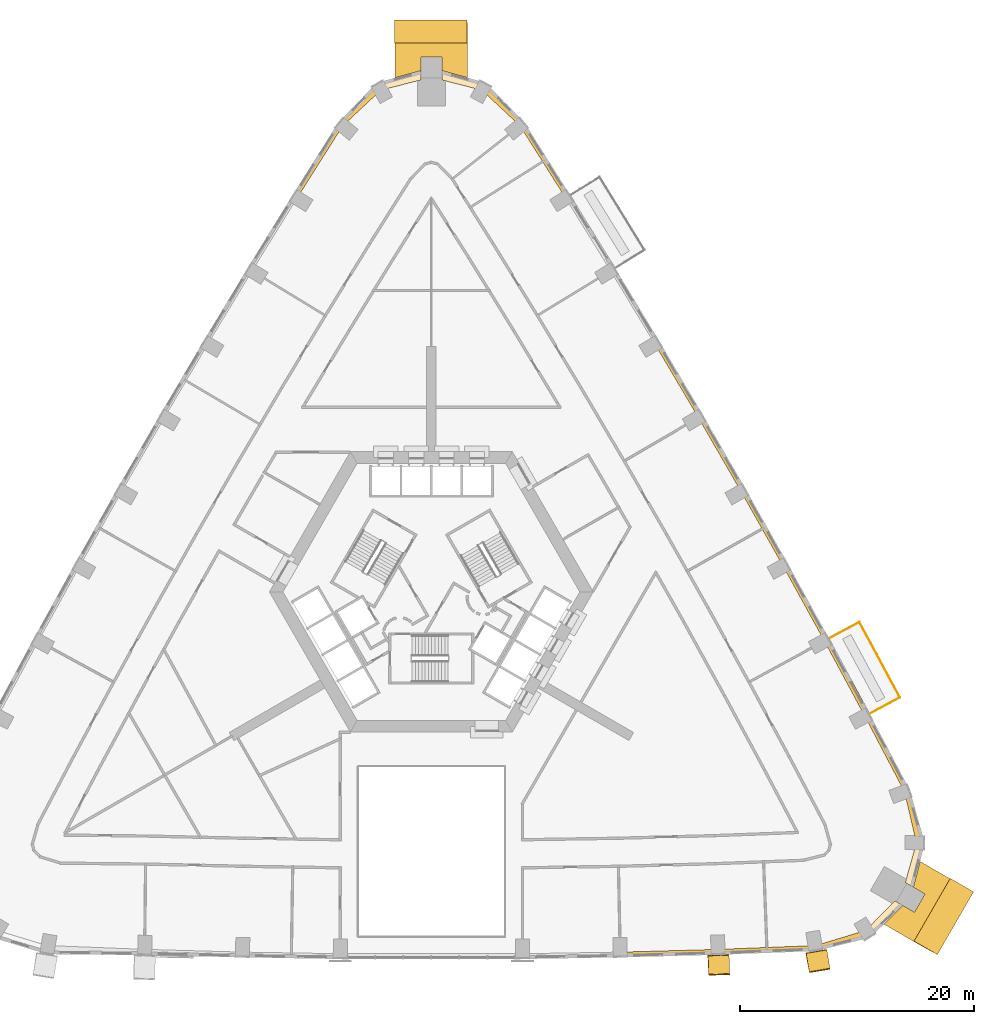
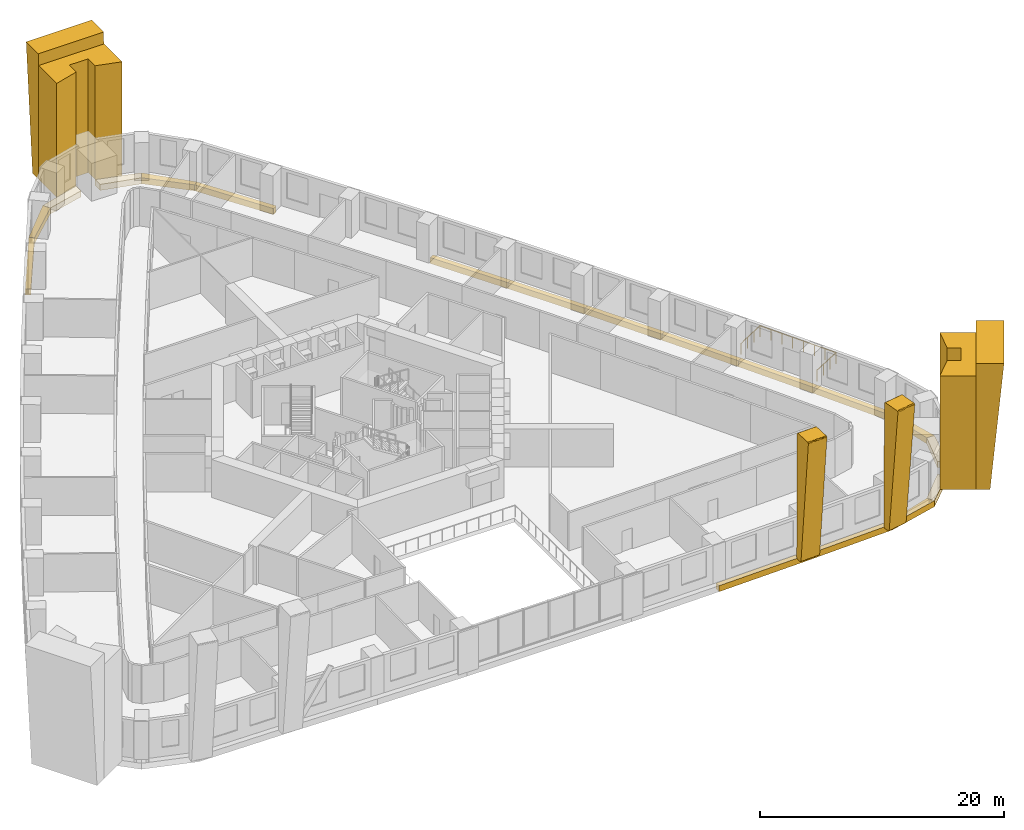
# One storey, part 16 of 16: 24 coverings, 1 railing.
"""IFC4 building model written with IfcOpenShell, lengths in metres."""

from ifc_helpers import new_model, si_unit, direction, frame, origin, origin_2d, place, context, subcontext, project, spatial, polyline, circle, outline, extrude, material, type_object, element, save


model = new_model("IFC4")

# Units and contexts
model_context = context("Model", 3, precision=1e-05, world=origin(), true_north=direction((0.0, 1.0)))
body_context = subcontext(model_context, "Body", "Model", "MODEL_VIEW")
ifc_project = project(units=[si_unit("LENGTHUNIT", "METRE"), si_unit("AREAUNIT", "SQUARE_METRE"), si_unit("VOLUMEUNIT", "CUBIC_METRE"), si_unit("PLANEANGLEUNIT", "RADIAN"), si_unit("MASSUNIT", "GRAM", prefix="KILO")], contexts=[model_context])

# Site, building, storey
site_placement = place(None, origin())
site = spatial("IfcSite", under=ifc_project, at=site_placement, CompositionType="ELEMENT")
building_placement = place(site_placement, origin())
building = spatial("IfcBuilding", under=site, at=building_placement, Name="Entoto Arch Interchange Tower", CompositionType="ELEMENT")
storey_placement = place(building_placement, frame((0.0, 0.0, 47.60009765625)))
storey = spatial("IfcBuildingStorey", under=building, at=storey_placement, Name="L09", CompositionType="ELEMENT", Elevation=47.60009765625)

# Railing
ifc_material_1 = material(Name="Stainless steel 1.4301", Category="steel")
railing_type = type_object("IfcRailingType", Name="GUARD 1100 STEEL AND GLASS", PredefinedType="GUARDRAIL", material=ifc_material_1)
railing_placement = place(storey_placement, frame((37.5029296875, -7.927001953125, 0.0)))
element("IfcRailing", 1, at=railing_placement, inside=storey, type_object=railing_type, Name="Balcony guard NE-02 L09", PredefinedType="GUARDRAIL", context=body_context, shape_type="SweptSolid", body=[
    extrude(circle(Radius=0.02392578125, at=origin_2d()), frame((0.0, 0.0, 1.076171875), z_axis=(0.880269085518, 0.474474801313, 0.0), x_axis=(-0.474474801313, 0.880269085518, 0.0)), (0.0, 0.0, 1.0), 2.950439453125),
    extrude(circle(Radius=0.02392578125, at=origin_2d()), frame((2.59716796875, 1.39990234375, 1.076171875), z_axis=(-0.47465055528, 0.880174329535, 0.0), x_axis=(-0.880174329535, -0.47465055528, 0.0)), (0.0, 0.0, 1.0), 7.3212890625),
    extrude(circle(Radius=0.02392578125, at=origin_2d()), frame((-0.8779296875, 7.843994140625, 1.076171875), z_axis=(-0.880250454816, -0.474509364287, 0.0), x_axis=(0.474509364287, -0.880250454816, 0.0)), (0.0, 0.0, 1.0), 2.9501953125),
    extrude(circle(Radius=0.02099609375, at=origin_2d()), origin(), (0.0, 0.0, 1.0), 1.052001953125),
    extrude(circle(Radius=0.02099609375, at=origin_2d()), frame((0.86572265625, 0.466552734375, 0.0)), (0.0, 0.0, 1.0), 1.052001953125),
    extrude(circle(Radius=0.02099609375, at=origin_2d()), frame((1.7314453125, 0.933349609375, 0.0)), (0.0, 0.0, 1.0), 1.052001953125),
    extrude(circle(Radius=0.02099609375, at=origin_2d()), frame((2.59716796875, 1.39990234375, 0.0)), (0.0, 0.0, 1.0), 1.052001953125),
    extrude(circle(Radius=0.02099609375, at=origin_2d()), frame((2.100830078125, 2.320556640625, 0.0)), (0.0, 0.0, 1.0), 1.052001953125),
    extrude(circle(Radius=0.02099609375, at=origin_2d()), frame((1.604248046875, 3.240966796875, 0.0)), (0.0, 0.0, 1.0), 1.052001953125),
    extrude(circle(Radius=0.02099609375, at=origin_2d()), frame((1.10791015625, 4.16162109375, 0.0)), (0.0, 0.0, 1.0), 1.052001953125),
    extrude(circle(Radius=0.02099609375, at=origin_2d()), frame((0.611328125, 5.082275390625, 0.0)), (0.0, 0.0, 1.0), 1.052001953125),
    extrude(circle(Radius=0.02099609375, at=origin_2d()), frame((0.114990234375, 6.0029296875, 0.0)), (0.0, 0.0, 1.0), 1.052001953125),
    extrude(circle(Radius=0.02099609375, at=origin_2d()), frame((-0.381591796875, 6.92333984375, 0.0)), (0.0, 0.0, 1.0), 1.052001953125),
    extrude(circle(Radius=0.02099609375, at=origin_2d()), frame((-0.8779296875, 7.843994140625, 0.0)), (0.0, 0.0, 1.0), 1.052001953125),
    extrude(circle(Radius=0.02099609375, at=origin_2d()), frame((-1.74365234375, 7.37744140625, 0.0)), (0.0, 0.0, 1.0), 1.052001953125),
    extrude(circle(Radius=0.02099609375, at=origin_2d()), frame((-2.609130859375, 6.91064453125, 0.0)), (0.0, 0.0, 1.0), 1.052001953125),
    extrude(circle(Radius=0.02099609375, at=origin_2d()), frame((-3.474853515625, 6.444091796875, 0.0)), (0.0, 0.0, 1.0), 1.052001953125),
])

# Coverings
ifc_material_2 = material(Name="Board-marked precast concrete C50/60", Category="concrete")
covering_type_1 = type_object("IfcCoveringType", Name="PRECAST FRAME COURSE", PredefinedType="CLADDING", material=ifc_material_2)
covering_1_placement = place(storey_placement, frame((0.0, 0.0, -0.400146484375)))
element("IfcCovering", 2, at=covering_1_placement, inside=storey, type_object=covering_type_1, Name="Corner pilaster SE L09-L11", PredefinedType="CLADDING", context=body_context, shape_type="SweptSolid", body=[
    extrude(outline(polyline([(44.382080078125, -22.0439453125), (41.281982421875, -27.4140625), (38.718017578125, -25.93408203125), (40.346923828125, -24.333984375), (41.342041015625, -24.907958984375), (42.241943359375, -23.35009765625), (41.2470703125, -22.77490234375), (41.818115234375, -20.56396484375), (44.382080078125, -22.0439453125)])), origin(), (0.0, 0.0, 1.0), 11.400146484375),
])
covering_2_placement = place(storey_placement, frame((0.0, 0.0, -0.400146484375)))
element("IfcCovering", 3, at=covering_2_placement, inside=storey, type_object=covering_type_1, Name="Corner pilaster N L09-L11", PredefinedType="CLADDING", context=body_context, shape_type="SweptSolid", body=[
    extrude(outline(polyline([(-3.10009765625, 49.4580078125), (3.10009765625, 49.4580078125), (3.10009765625, 46.4970703125), (0.89990234375, 47.10791015625), (0.89990234375, 48.258056640625), (-0.89990234375, 48.258056640625), (-0.89990234375, 47.10791015625), (-3.10009765625, 46.4970703125), (-3.10009765625, 49.4580078125)])), origin(), (0.0, 0.0, 1.0), 11.400146484375),
])
covering_3_placement = place(storey_placement, frame((41.281982421875, -27.4140625, -0.400146484375), z_axis=(-0.499844002192, -0.866110216576, 0.003011015652), x_axis=(0.866114143263, -0.499846267206, 3.25101e-07)))
element("IfcCovering", 4, at=covering_3_placement, inside=storey, type_object=covering_type_1, Name="Corner rib SE L09-L11", PredefinedType="CLADDING", context=body_context, shape_type="SweptSolid", body=[
    extrude(outline(polyline([(0.0, 0.0), (1.1626843156518478, 2.168404344971009e-19), (2.3081324461429795, 12.60015402385898), (2.3055553958281236e-05, 12.600155152221573), (0.0, 0.0)])), origin(), (0.0, 0.0, -1.0), 6.199951171875),
])
covering_4_placement = place(storey_placement, frame((3.10009765625, 49.4580078125, -0.400146484375), z_axis=(0.999995431764, 0.0, 0.003022656217), x_axis=(0.0, 1.0, 0.0)))
element("IfcCovering", 5, at=covering_4_placement, inside=storey, type_object=covering_type_1, Name="Corner rib N L09-L11", PredefinedType="CLADDING", context=body_context, shape_type="SweptSolid", body=[
    extrude(outline(polyline([(0.0, 0.0), (0.9970703125, 0.0), (1.97900390625, 12.600155216729355), (0.0, 12.600155216729355), (0.0, 0.0)])), origin(), (0.0, 0.0, -1.0), 6.199951171875),
])
covering_5_placement = place(storey_placement, frame((23.64599609375, -28.73095703125, -0.400146484375), z_axis=(-0.999441070346, -0.033294505914, 0.003003794516), x_axis=(-0.032825810236, 0.994418252081, 0.100273656116)))
element("IfcCovering", 6, at=covering_5_placement, inside=storey, type_object=covering_type_1, Name="Fold rib S07 L09-L11", PredefinedType="CLADDING", context=body_context, shape_type="SweptSolid", body=[
    extrude(outline(polyline([(0.0, 0.0), (0.029216396267566887, 4.336808689942018e-19), (0.05773300140184015, -0.00522330508537289), (0.0851621831079716, -0.016690437585677217), (0.1099003887860637, -0.03309060206171796), (0.13019163585271212, -0.054358168644305725), (0.1466570047877303, -0.07870709014750293), (0.15845508725362828, -0.10573723254331184), (0.1642816458724663, -0.1343500889651553), (1.3979357143421656, -12.387400260356673), (1.3921925308745426, -12.430182780251977), (1.38091710703146, -12.457330571788143), (1.3642740578194876, -12.482319669524836), (1.3433379630502793, -12.503321317375551), (1.3187485626208673, -12.520031631632637), (1.2779223536977045, -12.53420901677349), (-0.18738838942791913, -12.681885437297655), (-0.21682511355316247, -12.679699256083719), (-0.24466437759004012, -12.671463270244146), (-0.27042863986523025, -12.657130137877939), (-0.2933470267601026, -12.639319883345141), (-0.31155119627688177, -12.616860692612327), (-0.3251690975259993, -12.591240640273277), (-0.3341517687613049, -12.562945544375529), (-0.3380361042315474, -12.534137143015782), (-0.5010307967633587, -0.1881505879890792), (-0.49538553678803665, -0.14439643199869323), (-0.4763268936633834, -0.10444170295995643), (-0.4474940664242439, -0.0713541230105907), (-0.40952388706728476, -0.04838619326160878), (-0.36650175508775973, -0.03693589313549108), (0.0, 0.0)])), origin(), (0.0, 0.0, -1.0), 1.800048828125),
])
covering_6_placement = place(storey_placement, frame((32.049072265625, -28.530029296875, -0.400146484375), z_axis=(-0.986054873936, -0.166393845018, 0.002978913876), x_axis=(-0.165290249933, 0.981283726814, 0.098799700241)))
element("IfcCovering", 7, at=covering_6_placement, inside=storey, type_object=covering_type_1, Name="Fold rib S08 L09-L11", PredefinedType="CLADDING", context=body_context, shape_type="SweptSolid", body=[
    extrude(outline(polyline([(0.0, 0.0), (0.029645863071854125, 8.673617379884035e-19), (0.05879962862121741, -0.005201230835217532), (0.08532093159920699, -0.01679790711391397), (0.11034361012410585, -0.033204581903279864), (0.1308476263121727, -0.05447646518133191), (0.1474232007514655, -0.07883722110438304), (0.15842580097413458, -0.10595715616092273), (0.16417105708997126, -0.1345836425974241), (1.379780754316478, -12.389438913770919), (1.3737843172175181, -12.432233520558126), (1.3623627532032905, -12.459372385756474), (1.3464013768579715, -12.484264787233737), (1.3260516203898107, -12.505176990772055), (1.30117085375065, -12.521875534016353), (1.2597832974639995, -12.536043654367061), (-0.2087380852855043, -12.681848777891098), (-0.23832111225516717, -12.679633880845643), (-0.26588811433732285, -12.67133272127901), (-0.29167610958715473, -12.656964264560038), (-0.314741407176254, -12.639134640058733), (-0.33346569173257956, -12.61670638836522), (-0.3472225415208148, -12.591085151769471), (-0.35600406856475075, -12.562761547601879), (-0.3587130537524881, -12.53383217889647), (-0.5011370218395684, -0.187391171904435), (-0.49523706882287566, -0.14362478495924902), (-0.4768898141536923, -0.10377705009456459), (-0.44654608710570143, -0.07058665699088101), (-0.40892586324841845, -0.0477135434422058), (-0.36633092389042615, -0.03637083306238607), (0.0, 0.0)])), origin(), (0.0, 0.0, -1.0), 1.800048828125),
])
covering_type_2 = type_object("IfcCoveringType", Name="PRECAST LEDGE COURSE", PredefinedType="CLADDING", material=ifc_material_2)
covering_7_placement = place(storey_placement, frame((0.0, 0.0, -1.0)))
element("IfcCovering", 8, at=covering_7_placement, inside=storey, type_object=covering_type_2, Name="Precast course S-06 L09", PredefinedType="CLADDING", context=body_context, shape_type="SweptSolid", body=[
    extrude(outline(polyline([(24.5400390625, -28.0869140625), (24.5400390625, -28.551025390625), (16.169921875, -28.777099609375), (16.169921875, -28.321044921875), (24.5400390625, -28.0869140625)])), origin(), (0.0, 0.0, 1.0), 0.599853515625),
])
covering_8_placement = place(storey_placement, frame((0.0, 0.0, -1.0)))
element("IfcCovering", 9, at=covering_8_placement, inside=storey, type_object=covering_type_2, Name="Precast course S-07 L09", PredefinedType="CLADDING", context=body_context, shape_type="SweptSolid", body=[
    extrude(outline(polyline([(32.910888671875, -27.758056640625), (32.910888671875, -28.23193359375), (24.5400390625, -28.551025390625), (24.5400390625, -28.0869140625), (32.910888671875, -27.758056640625)])), origin(), (0.0, 0.0, 1.0), 0.599853515625),
])
covering_9_placement = place(storey_placement, frame((0.0, 0.0, -1.0)))
element("IfcCovering", 10, at=covering_9_placement, inside=storey, type_object=covering_type_2, Name="Precast course SE-01 L09", PredefinedType="CLADDING", context=body_context, shape_type="SweptSolid", body=[
    extrude(outline(polyline([(37.178955078125, -26.45703125), (37.554931640625, -27.075927734375), (32.910888671875, -28.23193359375), (32.910888671875, -27.758056640625), (37.178955078125, -26.45703125)])), origin(), (0.0, 0.0, 1.0), 0.599853515625),
])
covering_10_placement = place(storey_placement, frame((0.0, 0.0, -1.0)))
element("IfcCovering", 11, at=covering_10_placement, inside=storey, type_object=covering_type_2, Name="Precast course SE-02 L09", PredefinedType="CLADDING", context=body_context, shape_type="SweptSolid", body=[
    extrude(outline(polyline([(39.64892578125, -23.930908203125), (40.346923828125, -24.333984375), (37.554931640625, -27.075927734375), (37.178955078125, -26.45703125), (39.64892578125, -23.930908203125)])), origin(), (0.0, 0.0, 1.0), 0.599853515625),
])
covering_11_placement = place(storey_placement, frame((0.0, 0.0, -1.0)))
element("IfcCovering", 12, at=covering_11_placement, inside=storey, type_object=covering_type_2, Name="Precast course SE-03 L09", PredefinedType="CLADDING", context=body_context, shape_type="SweptSolid", body=[
    extrude(outline(polyline([(41.5029296875, -18.969970703125), (42.22607421875, -18.986083984375), (41.2470703125, -22.77490234375), (40.550048828125, -22.3720703125), (41.5029296875, -18.969970703125)])), origin(), (0.0, 0.0, 1.0), 0.599853515625),
])
covering_12_placement = place(storey_placement, frame((0.0, 0.0, -1.0)))
element("IfcCovering", 13, at=covering_12_placement, inside=storey, type_object=covering_type_2, Name="Precast course SE-04 L09", PredefinedType="CLADDING", context=body_context, shape_type="SweptSolid", body=[
    extrude(outline(polyline([(40.493896484375, -14.623046875), (40.94091796875, -14.45703125), (42.22607421875, -18.986083984375), (41.5029296875, -18.969970703125), (40.493896484375, -14.623046875)])), origin(), (0.0, 0.0, 1.0), 0.599853515625),
])
covering_13_placement = place(storey_placement, frame((0.0, 0.0, -1.0)))
element("IfcCovering", 14, at=covering_13_placement, inside=storey, type_object=covering_type_2, Name="Precast course NE-01 L09", PredefinedType="CLADDING", context=body_context, shape_type="SweptSolid", body=[
    extrude(outline(polyline([(37.093017578125, -8.14501953125), (37.5029296875, -7.927001953125), (40.94091796875, -14.45703125), (40.493896484375, -14.623046875), (37.093017578125, -8.14501953125)])), origin(), (0.0, 0.0, 1.0), 0.599853515625),
])
covering_14_placement = place(storey_placement, frame((0.0, 0.0, -1.0)))
element("IfcCovering", 15, at=covering_14_placement, inside=storey, type_object=covering_type_2, Name="Precast course NE-02 L09", PredefinedType="CLADDING", context=body_context, shape_type="SweptSolid", body=[
    extrude(outline(polyline([(33.626953125, -1.701904296875), (34.028076171875, -1.48291015625), (37.5029296875, -7.927001953125), (37.093017578125, -8.14501953125), (33.626953125, -1.701904296875)])), origin(), (0.0, 0.0, 1.0), 0.599853515625),
])
covering_15_placement = place(storey_placement, frame((0.0, 0.0, -1.0)))
element("IfcCovering", 16, at=covering_15_placement, inside=storey, type_object=covering_type_2, Name="Precast course NE-03 L09", PredefinedType="CLADDING", context=body_context, shape_type="SweptSolid", body=[
    extrude(outline(polyline([(30.096923828125, 4.705078125), (30.491943359375, 4.925048828125), (34.028076171875, -1.48291015625), (33.626953125, -1.701904296875), (30.096923828125, 4.705078125)])), origin(), (0.0, 0.0, 1.0), 0.599853515625),
])
covering_16_placement = place(storey_placement, frame((0.0, 0.0, -1.0)))
element("IfcCovering", 17, at=covering_16_placement, inside=storey, type_object=covering_type_2, Name="Precast course NE-04 L09", PredefinedType="CLADDING", context=body_context, shape_type="SweptSolid", body=[
    extrude(outline(polyline([(26.5029296875, 11.077880859375), (26.89404296875, 11.301025390625), (30.491943359375, 4.925048828125), (30.096923828125, 4.705078125), (26.5029296875, 11.077880859375)])), origin(), (0.0, 0.0, 1.0), 0.599853515625),
])
covering_17_placement = place(storey_placement, frame((0.0, 0.0, -1.0)))
element("IfcCovering", 18, at=covering_17_placement, inside=storey, type_object=covering_type_2, Name="Precast course NE-05 L09", PredefinedType="CLADDING", context=body_context, shape_type="SweptSolid", body=[
    extrude(outline(polyline([(22.844970703125, 17.4130859375), (23.23388671875, 17.639892578125), (26.89404296875, 11.301025390625), (26.5029296875, 11.077880859375), (22.844970703125, 17.4130859375)])), origin(), (0.0, 0.0, 1.0), 0.599853515625),
])
covering_18_placement = place(storey_placement, frame((0.0, 0.0, -1.0)))
element("IfcCovering", 19, at=covering_18_placement, inside=storey, type_object=covering_type_2, Name="Precast course NE-06 L09", PredefinedType="CLADDING", context=body_context, shape_type="SweptSolid", body=[
    extrude(outline(polyline([(19.123046875, 23.7119140625), (19.511962890625, 23.944091796875), (23.23388671875, 17.639892578125), (22.844970703125, 17.4130859375), (19.123046875, 23.7119140625)])), origin(), (0.0, 0.0, 1.0), 0.599853515625),
])
covering_19_placement = place(storey_placement, frame((0.0, 0.0, -1.0)))
element("IfcCovering", 20, at=covering_19_placement, inside=storey, type_object=covering_type_2, Name="Precast course NE-09 L09", PredefinedType="CLADDING", context=body_context, shape_type="SweptSolid", body=[
    extrude(outline(polyline([(7.5830078125, 42.3798828125), (7.950927734375, 42.68505859375), (11.885986328125, 36.44189453125), (11.491943359375, 36.196044921875), (7.5830078125, 42.3798828125)])), origin(), (0.0, 0.0, 1.0), 0.599853515625),
])
covering_20_placement = place(storey_placement, frame((0.0, 0.0, -1.0)))
element("IfcCovering", 21, at=covering_20_placement, inside=storey, type_object=covering_type_2, Name="Precast course N-01 L09", PredefinedType="CLADDING", context=body_context, shape_type="SweptSolid", body=[
    extrude(outline(polyline([(4.322998046875, 45.427001953125), (4.669921875, 46.06103515625), (7.950927734375, 42.68505859375), (7.5830078125, 42.3798828125), (4.322998046875, 45.427001953125)])), origin(), (0.0, 0.0, 1.0), 0.599853515625),
])
covering_21_placement = place(storey_placement, frame((0.0, 0.0, -1.0)))
element("IfcCovering", 22, at=covering_21_placement, inside=storey, type_object=covering_type_2, Name="Precast course N-02 L09", PredefinedType="CLADDING", context=body_context, shape_type="SweptSolid", body=[
    extrude(outline(polyline([(0.89990234375, 46.302978515625), (0.89990234375, 47.10791015625), (4.669921875, 46.06103515625), (4.322998046875, 45.427001953125), (0.89990234375, 46.302978515625)])), origin(), (0.0, 0.0, 1.0), 0.599853515625),
])
covering_22_placement = place(storey_placement, frame((0.0, 0.0, -1.0)))
element("IfcCovering", 23, at=covering_22_placement, inside=storey, type_object=covering_type_2, Name="Precast course N-03 L09", PredefinedType="CLADDING", context=body_context, shape_type="SweptSolid", body=[
    extrude(outline(polyline([(-4.322998046875, 45.427001953125), (-4.669921875, 46.06103515625), (-0.89990234375, 47.10791015625), (-0.89990234375, 46.302978515625), (-4.322998046875, 45.427001953125)])), origin(), (0.0, 0.0, 1.0), 0.599853515625),
])
covering_23_placement = place(storey_placement, frame((0.0, 0.0, -1.0)))
element("IfcCovering", 24, at=covering_23_placement, inside=storey, type_object=covering_type_2, Name="Precast course N-04 L09", PredefinedType="CLADDING", context=body_context, shape_type="SweptSolid", body=[
    extrude(outline(polyline([(-7.5830078125, 42.3798828125), (-7.950927734375, 42.68505859375), (-4.669921875, 46.06103515625), (-4.322998046875, 45.427001953125), (-7.5830078125, 42.3798828125)])), origin(), (0.0, 0.0, 1.0), 0.599853515625),
])
covering_24_placement = place(storey_placement, frame((0.0, 0.0, -1.0)))
element("IfcCovering", 25, at=covering_24_placement, inside=storey, type_object=covering_type_2, Name="Precast course NW-01 L09", PredefinedType="CLADDING", context=body_context, shape_type="SweptSolid", body=[
    extrude(outline(polyline([(-11.491943359375, 36.196044921875), (-11.885986328125, 36.44189453125), (-7.950927734375, 42.68505859375), (-7.5830078125, 42.3798828125), (-11.491943359375, 36.196044921875)])), origin(), (0.0, 0.0, 1.0), 0.599853515625),
])

save(model, "model.ifc")
